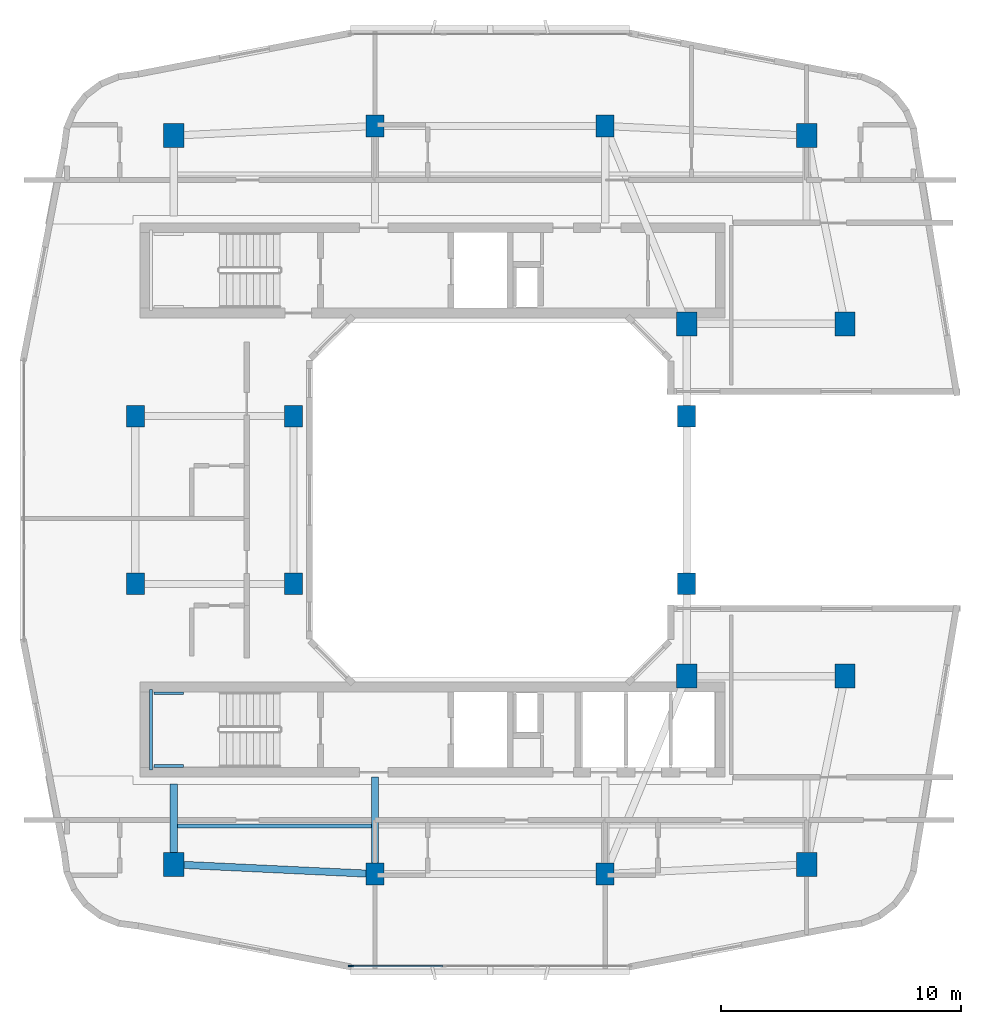
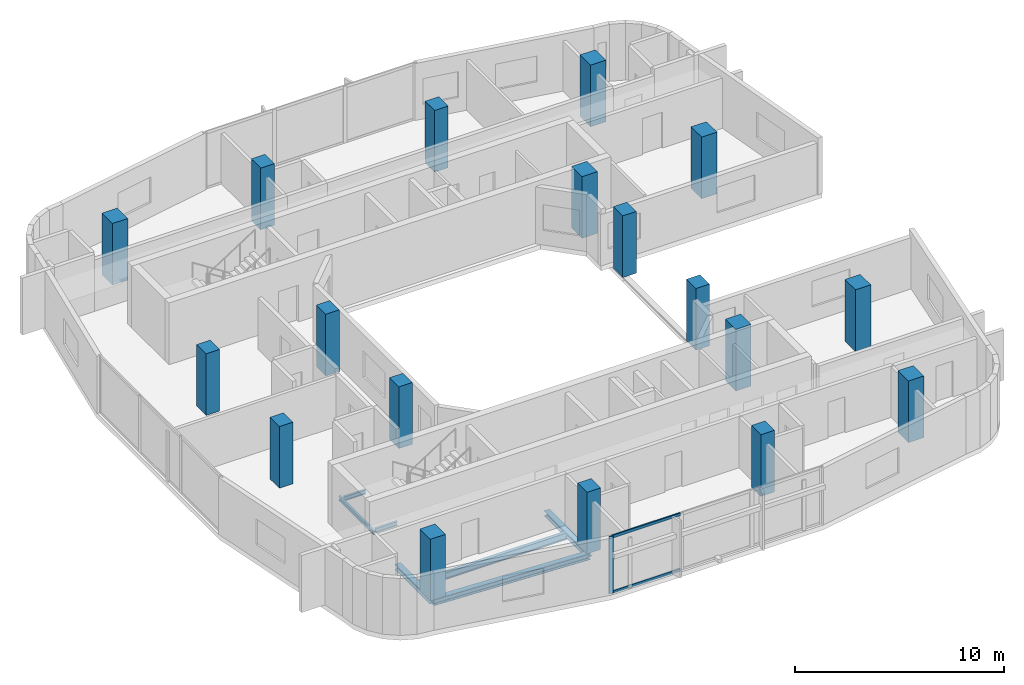
# One storey, part 1 of 12: 18 columns, 7 beams, 3 members, 1 element without a shape of its own.
"""IFC4 building model written with IfcOpenShell, lengths in metres."""

from ifc_helpers import new_model, si_unit, derived_unit, direction, frame, origin, origin_2d, place, context, subcontext, project, spatial, rectangle, i_section, extrude, material, layer, layer_set, material_profile, profile_set, type_object, element, aggregate, save


model = new_model("IFC4")

# Units and contexts
model_context = context("Model", 3, precision=1e-05, world=origin(), true_north=direction((0.0, 1.0)))
body_context = subcontext(model_context, "Body", "Model", "MODEL_VIEW")
ifc_project = project(units=[si_unit("LENGTHUNIT", "METRE"), si_unit("AREAUNIT", "SQUARE_METRE"), si_unit("VOLUMEUNIT", "CUBIC_METRE"), si_unit("PLANEANGLEUNIT", "RADIAN"), si_unit("MASSUNIT", "GRAM", prefix="KILO"), derived_unit("THERMALTRANSMITTANCEUNIT", [(si_unit("POWERUNIT", "WATT"), 1), (si_unit("LENGTHUNIT", "METRE"), -2), (si_unit("THERMODYNAMICTEMPERATUREUNIT", "KELVIN"), -1)])], contexts=[model_context])

# Site, building, storey
site_placement = place(None, origin())
site = spatial("IfcSite", under=ifc_project, at=site_placement, CompositionType="ELEMENT")
building_placement = place(site_placement, origin())
building = spatial("IfcBuilding", under=site, at=building_placement, Name="Kivonza Crest Hotel", CompositionType="ELEMENT")
storey_placement = place(building_placement, frame((0.0, 0.0, 184.699951171875)))
storey = spatial("IfcBuildingStorey", under=building, at=storey_placement, Name="L50", CompositionType="ELEMENT", Elevation=184.699951171875)

# Columns
ifc_material_1 = material(Name="Concrete C50/60", Category="concrete")
ifc_material_profile_1 = material_profile(ifc_material_1, rectangle(XDim=0.85009765625, YDim=1.0, at=origin_2d()), Name="RC 1000x850")
ifc_profile_set_1 = profile_set([ifc_material_profile_1], Name="Concrete C50/60")
column_type_1 = type_object("IfcColumnType", Name="CL-RC-1000x850", PredefinedType="COLUMN", material=ifc_profile_set_1)
for number, where, z_axis, x_axis, name in (
    (1, (7.800048828125, 9.800048828125, 0.0), (0.0, 0.0, 1.0), (1.0, 0.0, 0.0), "Tower T1 L50 column SW"),
    (2, (34.199951171875, 9.800048828125, 0.0), (0.0, 0.0, 1.0), (1.0, 0.0, 0.0), "Tower T1 L50 column SE"),
    (3, (34.199951171875, 40.199951171875, 0.0), (0.0, 0.0, 1.0), (1.0, 0.0, 0.0), "Tower T1 L50 column NE"),
    (4, (7.800048828125, 40.199951171875, 0.0), (0.0, 0.0, 1.0), (1.0, 0.0, 0.0), "Tower T1 L50 column NW"),
    (5, (35.800048828125, 17.64990234375, 0.0), (0.0, 0.0, 1.0), (1.0, 0.0, 0.0), "Tower T1 L50 column PSE"),
    (6, (35.800048828125, 32.35009765625, 0.0), (0.0, 0.0, 1.0), (1.0, 0.0, 0.0), "Tower T1 L50 column PNE"),
    (7, (29.199951171875, 17.64990234375, 0.0), (0.0, 0.0, 1.0), (1.0, 0.0, 0.0), "Tower T1 L50 column TSE"),
    (8, (29.199951171875, 32.35009765625, 0.0), (0.0, 0.0, 1.0), (1.0, 0.0, 0.0), "Tower T1 L50 column TNE"),
):
    element("IfcColumn", number, at=place(storey_placement, frame(where, z_axis=z_axis, x_axis=x_axis)), inside=storey, type_object=column_type_1, Name=name, PredefinedType="COLUMN", context=body_context, shape_type="SweptSolid", body=[
        extrude(rectangle(XDim=0.85009765625, YDim=1.0, at=origin_2d()), origin(), (0.0, 0.0, 1.0), 3.60009765625),
    ])
ifc_material_profile_2 = material_profile(ifc_material_1, rectangle(XDim=0.75, YDim=0.89990234375, at=origin_2d()), Name="RC 900x750")
ifc_profile_set_2 = profile_set([ifc_material_profile_2], Name="Concrete C50/60")
column_type_2 = type_object("IfcColumnType", Name="CL-RC-900x750", PredefinedType="COLUMN", material=ifc_profile_set_2)
for number, where, z_axis, x_axis, name in (
    (9, (16.199951171875, 9.39990234375, 0.0), (0.0, 0.0, 1.0), (1.0, 0.0, 0.0), "Tower T1 L50 column S1"),
    (10, (25.800048828125, 9.39990234375, 0.0), (0.0, 0.0, 1.0), (1.0, 0.0, 0.0), "Tower T1 L50 column S2"),
    (11, (16.199951171875, 40.60009765625, 0.0), (0.0, 0.0, 1.0), (1.0, 0.0, 0.0), "Tower T1 L50 column N1"),
    (12, (25.800048828125, 40.60009765625, 0.0), (0.0, 0.0, 1.0), (1.0, 0.0, 0.0), "Tower T1 L50 column N2"),
    (13, (6.199951171875, 21.5, 0.0), (0.0, 0.0, 1.0), (1.0, 0.0, 0.0), "Tower T1 L50 column W1"),
    (14, (6.199951171875, 28.5, 0.0), (0.0, 0.0, 1.0), (1.0, 0.0, 0.0), "Tower T1 L50 column W2"),
    (15, (12.800048828125, 21.5, 0.0), (0.0, 0.0, 1.0), (1.0, 0.0, 0.0), "Tower T1 L50 column WL1"),
    (16, (12.800048828125, 28.5, 0.0), (0.0, 0.0, 1.0), (1.0, 0.0, 0.0), "Tower T1 L50 column WL2"),
    (17, (29.199951171875, 21.5, 0.0), (0.0, 0.0, 1.0), (1.0, 0.0, 0.0), "Tower T1 L50 column WR1"),
    (18, (29.199951171875, 28.5, 0.0), (0.0, 0.0, 1.0), (1.0, 0.0, 0.0), "Tower T1 L50 column WR2"),
):
    element("IfcColumn", number, at=place(storey_placement, frame(where, z_axis=z_axis, x_axis=x_axis)), inside=storey, type_object=column_type_2, Name=name, PredefinedType="COLUMN", context=body_context, shape_type="SweptSolid", body=[
        extrude(rectangle(XDim=0.75, YDim=0.89990234375, at=origin_2d()), origin(), (0.0, 0.0, 1.0), 3.60009765625),
    ])

# Beams
ifc_material_2 = material(Name="Steel S355", Category="steel")
ifc_material_profile_3 = material_profile(ifc_material_2, i_section(OverallWidth=0.300048828125, OverallDepth=0.300048828125, WebThickness=0.010986328125, FlangeThickness=0.01904296875, FilletRadius=0.027099609375, at=origin_2d()), Name="HEB 300")
ifc_profile_set_3 = profile_set([ifc_material_profile_3], Name="Steel S355")
beam_type_1 = type_object("IfcBeamType", Name="BM-HEB300", PredefinedType="BEAM", material=ifc_profile_set_3)
beam_1_placement = place(storey_placement, frame((7.800048828125, 9.800048828125, -0.429931640625), z_axis=(0.0, 1.0, 0.0), x_axis=(-1.0, 0.0, 0.0)))
element("IfcBeam", 19, at=beam_1_placement, inside=storey, type_object=beam_type_1, Name="Tower T1 L50 radial core girder RSW", PredefinedType="BEAM", context=body_context, shape_type="SweptSolid", body=[
    extrude(i_section(OverallWidth=0.300048828125, OverallDepth=0.300048828125, WebThickness=0.010986328125, FlangeThickness=0.01904296875, FilletRadius=0.027099609375, at=origin_2d()), origin(), (0.0, 0.0, 1.0), 3.349853515625),
])
beam_2_placement = place(storey_placement, frame((16.199951171875, 9.39990234375, -0.429931640625), z_axis=(0.0, 1.0, 0.0), x_axis=(-1.0, 0.0, 0.0)))
element("IfcBeam", 20, at=beam_2_placement, inside=storey, type_object=beam_type_1, Name="Tower T1 L50 radial core girder RS1", PredefinedType="BEAM", context=body_context, shape_type="SweptSolid", body=[
    extrude(i_section(OverallWidth=0.300048828125, OverallDepth=0.300048828125, WebThickness=0.010986328125, FlangeThickness=0.01904296875, FilletRadius=0.027099609375, at=origin_2d()), origin(), (0.0, 0.0, 1.0), 4.050048828125),
])
ifc_material_profile_4 = material_profile(ifc_material_2, i_section(OverallWidth=0.300048828125, OverallDepth=0.360107421875, WebThickness=0.012451171875, FlangeThickness=0.0224609375, FilletRadius=0.027099609375, at=origin_2d()), Name="HEB 360")
ifc_profile_set_4 = profile_set([ifc_material_profile_4], Name="Steel S355")
beam_type_2 = type_object("IfcBeamType", Name="BM-HEB360", PredefinedType="SPANDREL", material=ifc_profile_set_4)
beam_3_placement = place(storey_placement, frame((7.800048828125, 9.800048828125, -0.4599609375), z_axis=(0.998867283688, -0.047583080799, 0.0), x_axis=(0.047583080799, 0.998867283688, 0.0)))
element("IfcBeam", 21, at=beam_3_placement, inside=storey, type_object=beam_type_2, Name="Tower T1 L50 perimeter spandrel SW-S1", PredefinedType="SPANDREL", context=body_context, shape_type="SweptSolid", body=[
    extrude(i_section(OverallWidth=0.300048828125, OverallDepth=0.360107421875, WebThickness=0.012451171875, FlangeThickness=0.0224609375, FilletRadius=0.027099609375, at=origin_2d()), origin(), (0.0, 0.0, 1.0), 8.409423828125),
])
ifc_material_profile_5 = material_profile(ifc_material_2, i_section(OverallWidth=0.179931640625, OverallDepth=0.39990234375, WebThickness=0.008544921875, FlangeThickness=0.013427734375, FilletRadius=0.02099609375, at=origin_2d()), Name="IPE 400")
ifc_profile_set_5 = profile_set([ifc_material_profile_5], Name="Steel S355")
beam_type_3 = type_object("IfcBeamType", Name="BM-IPE400", PredefinedType="JOIST", material=ifc_profile_set_5)
beam_4_placement = place(storey_placement, frame((7.8798828125, 11.39990234375, -0.47998046875), z_axis=(1.0, 0.0, 0.0), x_axis=(0.0, 1.0, 0.0)))
element("IfcBeam", 22, at=beam_4_placement, inside=storey, type_object=beam_type_3, Name="Tower T1 L50 South-West floor joist", PredefinedType="JOIST", context=body_context, shape_type="SweptSolid", body=[
    extrude(i_section(OverallWidth=0.179931640625, OverallDepth=0.39990234375, WebThickness=0.008544921875, FlangeThickness=0.013427734375, FilletRadius=0.02099609375, at=origin_2d()), origin(), (0.0, 0.0, 1.0), 8.240234375),
])
ifc_material_profile_6 = material_profile(ifc_material_2, i_section(OverallWidth=0.1201171875, OverallDepth=0.239990234375, WebThickness=0.006103515625, FlangeThickness=0.009765625, FilletRadius=0.014892578125, at=origin_2d()), Name="IPE 240")
ifc_profile_set_6 = profile_set([ifc_material_profile_6], Name="Steel S355")
beam_type_4 = type_object("IfcBeamType", Name="BM-LLDG-240", PredefinedType="BEAM", material=ifc_profile_set_6)
beam_5_placement = place(storey_placement, frame((6.860107421875, 13.739990234375, 1.47998046875), z_axis=(0.0, 1.0, 0.0), x_axis=(-1.0, 0.0, 0.0)))
element("IfcBeam", 23, at=beam_5_placement, inside=storey, type_object=beam_type_4, Name="Stair ST-T1-S L50 West landing corbel", PredefinedType="BEAM", context=body_context, shape_type="SweptSolid", body=[
    extrude(i_section(OverallWidth=0.1201171875, OverallDepth=0.239990234375, WebThickness=0.006103515625, FlangeThickness=0.009765625, FilletRadius=0.014892578125, at=origin_2d()), origin(), (0.0, 0.0, 1.0), 3.360107421875),
])
for number, where, z_axis, x_axis, name in (
    (24, (6.989990234375, 13.89990234375, 1.47998046875), (1.0, 0.0, 0.0), (0.0, 1.0, 0.0), "Stair ST-T1-S L50 South landing corbel"),
    (25, (6.989990234375, 16.93994140625, 1.47998046875), (1.0, 0.0, 0.0), (0.0, 1.0, 0.0), "Stair ST-T1-S L50 North landing corbel"),
):
    element("IfcBeam", number, at=place(storey_placement, frame(where, z_axis=z_axis, x_axis=x_axis)), inside=storey, type_object=beam_type_4, Name=name, PredefinedType="BEAM", context=body_context, shape_type="SweptSolid", body=[
        extrude(i_section(OverallWidth=0.1201171875, OverallDepth=0.239990234375, WebThickness=0.006103515625, FlangeThickness=0.009765625, FilletRadius=0.014892578125, at=origin_2d()), origin(), (0.0, 0.0, 1.0), 1.2099609375),
    ])

# Curtain wall, members
ifc_material_3 = material(Name="Anodised bronze aluminium and low-E double glazing", Category="aluminium")
ifc_layer = layer(ifc_material_3, 0.179931640625)
ifc_layer_set = layer_set([ifc_layer], Name="Anodised bronze aluminium and low-E double glazing")
curtain_wall_type = type_object("IfcCurtainWallType", Name="CW-SYS-3", PredefinedType="NOTDEFINED", material=ifc_layer_set)
curtain_wall_placement = place(storey_placement, origin())
curtain_wall = element("IfcCurtainWall", 26, at=curtain_wall_placement, inside=storey, type_object=curtain_wall_type, Name="L50 unitised curtain wall CW-T1-L50-08", PredefinedType="NOTDEFINED")
ifc_material_4 = material(Name="Anodised bronze aluminium", Category="aluminium")
ifc_material_profile_7 = material_profile(ifc_material_4, rectangle(XDim=0.074951171875, YDim=0.219970703125, at=origin_2d()), Name="CW-M 75x220")
ifc_profile_set_7 = profile_set([ifc_material_profile_7], Name="Anodised bronze aluminium")
member_type_1 = type_object("IfcMemberType", Name="CW-MUL-75x220", PredefinedType="MULLION", material=ifc_profile_set_7)
member_1_placement = place(storey_placement, frame((15.197509765625, 5.56005859375, 0.0), z_axis=(0.0, 0.0, 1.0), x_axis=(0.0, 1.0, 0.0)))
member_1 = element("IfcMember", 27, at=member_1_placement, type_object=member_type_1, Name="CW-3 mullion 1", PredefinedType="MULLION", context=body_context, shape_type="SweptSolid", body=[
    extrude(rectangle(XDim=0.074951171875, YDim=0.219970703125, at=origin_2d()), origin(), (0.0, 0.0, 1.0), 3.320068359375),
])
ifc_material_profile_8 = material_profile(ifc_material_4, rectangle(XDim=0.074951171875, YDim=0.159912109375, at=origin_2d()), Name="CW-T 75x160")
ifc_profile_set_8 = profile_set([ifc_material_profile_8], Name="Anodised bronze aluminium")
member_type_2 = type_object("IfcMemberType", Name="CW-TRN-75x160", PredefinedType="USERDEFINED", material=ifc_profile_set_8)
member_2_placement = place(storey_placement, frame((15.235107421875, 5.56005859375, 0.03759765625), z_axis=(1.0, 0.0, 0.0), x_axis=(0.0, 1.0, 0.0)))
member_2 = element("IfcMember", 28, at=member_2_placement, type_object=member_type_2, Name="CW-3 transom 1.1", ObjectType="TRANSOM", PredefinedType="USERDEFINED", context=body_context, shape_type="SweptSolid", body=[
    extrude(rectangle(XDim=0.074951171875, YDim=0.159912109375, at=origin_2d()), origin(), (0.0, 0.0, 1.0), 3.78076171875),
])
member_3_placement = place(storey_placement, frame((15.235107421875, 5.56005859375, 3.282470703125), z_axis=(1.0, 0.0, 0.0), x_axis=(0.0, 1.0, 0.0)))
member_3 = element("IfcMember", 29, at=member_3_placement, type_object=member_type_2, Name="CW-3 transom 1.2", ObjectType="TRANSOM", PredefinedType="USERDEFINED", context=body_context, shape_type="SweptSolid", body=[
    extrude(rectangle(XDim=0.074951171875, YDim=0.159912109375, at=origin_2d()), origin(), (0.0, 0.0, 1.0), 3.78076171875),
])
aggregate(curtain_wall, [member_1, member_2, member_3])

save(model, "model.ifc")
